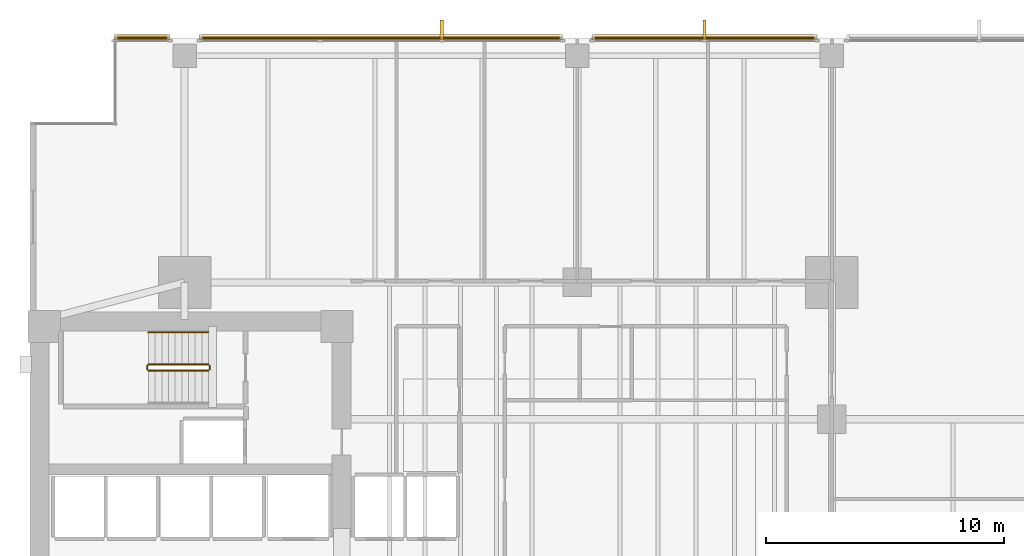
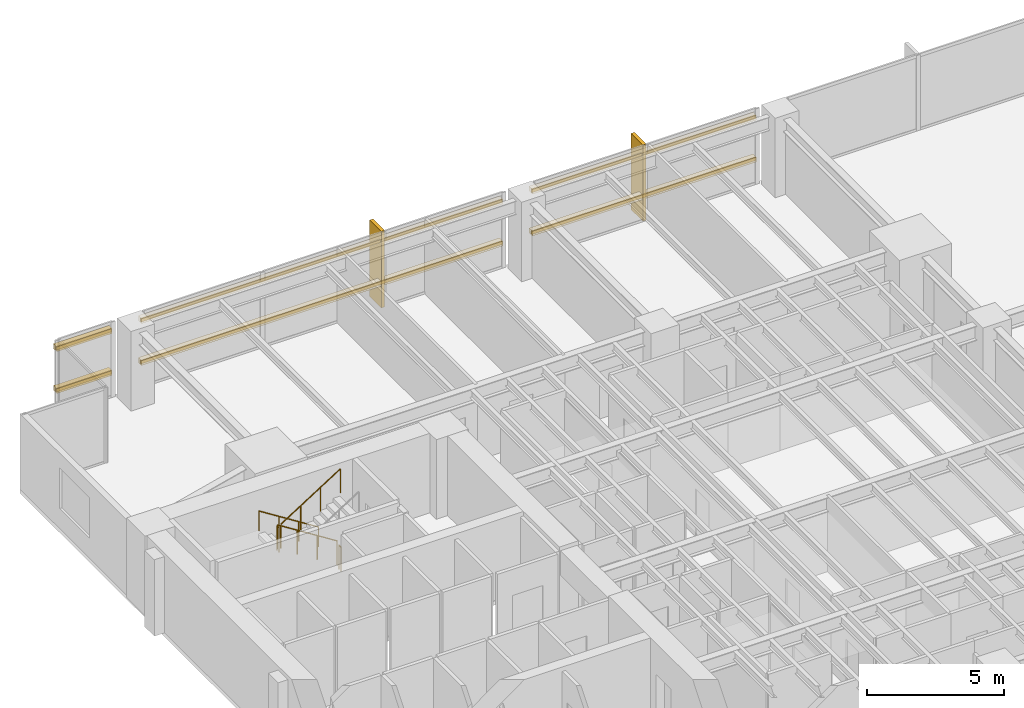
# One storey, part 14 of 15: 8 coverings, 6 shading devices, 5 railings.
"""IFC4 building model written with IfcOpenShell, lengths in metres."""

from ifc_helpers import new_model, si_unit, direction, frame, origin, origin_2d, place, context, subcontext, project, spatial, polyline, rectangle, circle, outline, extrude, material, layer, layer_set, material_profile, profile_set, type_object, element, save


model = new_model("IFC4")

# Units and contexts
model_context = context("Model", 3, precision=1e-05, world=origin(), true_north=direction((0.0, 1.0)))
body_context = subcontext(model_context, "Body", "Model", "MODEL_VIEW")
ifc_project = project(units=[si_unit("LENGTHUNIT", "METRE"), si_unit("AREAUNIT", "SQUARE_METRE"), si_unit("VOLUMEUNIT", "CUBIC_METRE"), si_unit("PLANEANGLEUNIT", "RADIAN"), si_unit("MASSUNIT", "GRAM", prefix="KILO")], contexts=[model_context])

# Site, building, storey
site_placement = place(None, origin())
site = spatial("IfcSite", under=ifc_project, at=site_placement, CompositionType="ELEMENT")
building_placement = place(site_placement, origin())
building = spatial("IfcBuilding", under=site, at=building_placement, Name="Kinhvarn Gate Tower", CompositionType="ELEMENT")
storey_placement = place(building_placement, frame((0.0, 0.0, 61.10009765625)))
storey = spatial("IfcBuildingStorey", under=building, at=storey_placement, Name="L15", CompositionType="ELEMENT", Elevation=61.10009765625)

# Coverings
ifc_material_1 = material(Name="Fired architectural terracotta", Category="masonry")
ifc_layer_1 = layer(ifc_material_1, 0.239990234375)
ifc_layer_set_1 = layer_set([ifc_layer_1], Name="Fired architectural terracotta")
covering_type_1 = type_object("IfcCoveringType", Name="COV-BAG-220", PredefinedType="CLADDING", material=ifc_layer_set_1)
for number, where, name in (
    (1, (0.0, 0.0, 0.93994140625), "Terracotta Horizontal Sunscreen Band TBG-220 (L15)"),
    (2, (0.0, 0.0, 2.809814453125), "Terracotta Horizontal Sunscreen Band TBG-220 (L15)"),
):
    element("IfcCovering", number, at=place(storey_placement, frame(where)), inside=storey, type_object=covering_type_1, Name=name, PredefinedType="CLADDING", context=body_context, shape_type="SweptSolid", body=[
        extrude(outline(polyline([(37.580078125, 47.93994140625), (28.1201171875, 47.93994140625), (28.1201171875, 48.179931640625), (37.580078125, 48.179931640625), (37.580078125, 47.93994140625)])), origin(), (0.0, 0.0, 1.0), 0.219970703125),
    ])
for number, where, name in (
    (3, (0.0, 0.0, 0.93994140625), "Terracotta Horizontal Sunscreen Band TBG-220 (L15)"),
    (4, (0.0, 0.0, 2.809814453125), "Terracotta Horizontal Sunscreen Band TBG-220 (L15)"),
):
    element("IfcCovering", number, at=place(storey_placement, frame(where)), inside=storey, type_object=covering_type_1, Name=name, PredefinedType="CLADDING", context=body_context, shape_type="SweptSolid", body=[
        extrude(outline(polyline([(26.8798828125, 47.93994140625), (11.6201171875, 47.93994140625), (11.6201171875, 48.179931640625), (26.8798828125, 48.179931640625), (26.8798828125, 47.93994140625)])), origin(), (0.0, 0.0, 1.0), 0.219970703125),
    ])
for number, where, name in (
    (5, (0.0, 0.0, 0.93994140625), "Terracotta Horizontal Sunscreen Band TBG-220 (L15)"),
    (6, (0.0, 0.0, 2.809814453125), "Terracotta Horizontal Sunscreen Band TBG-220 (L15)"),
):
    element("IfcCovering", number, at=place(storey_placement, frame(where)), inside=storey, type_object=covering_type_1, Name=name, PredefinedType="CLADDING", context=body_context, shape_type="SweptSolid", body=[
        extrude(outline(polyline([(10.3798828125, 47.93994140625), (8.0400390625, 47.93994140625), (8.0400390625, 48.179931640625), (10.3798828125, 48.179931640625), (10.3798828125, 47.93994140625)])), origin(), (0.0, 0.0, 1.0), 0.219970703125),
    ])
ifc_layer_2 = layer(ifc_material_1, 0.139892578125)
ifc_layer_set_2 = layer_set([ifc_layer_2], Name="Fired architectural terracotta")
covering_type_2 = type_object("IfcCoveringType", Name="COV-FIN-850", PredefinedType="CLADDING", material=ifc_layer_set_2)
covering_1_placement = place(storey_placement, frame((0.0, 0.0, -0.02001953125)))
element("IfcCovering", 7, at=covering_1_placement, inside=storey, type_object=covering_type_2, Name="Vertical Terracotta Expressive Fin TFN-850 (L15)", PredefinedType="CLADDING", context=body_context, shape_type="SweptSolid", body=[
    extrude(outline(polyline([(32.919921875, 47.929931640625), (32.780029296875, 47.929931640625), (32.780029296875, 48.780029296875), (32.919921875, 48.780029296875), (32.919921875, 47.929931640625)])), origin(), (0.0, 0.0, 1.0), 3.409912109375),
])
covering_2_placement = place(storey_placement, frame((0.0, 0.0, -0.02001953125)))
element("IfcCovering", 8, at=covering_2_placement, inside=storey, type_object=covering_type_2, Name="Vertical Terracotta Expressive Fin TFN-850 (L15)", PredefinedType="CLADDING", context=body_context, shape_type="SweptSolid", body=[
    extrude(outline(polyline([(21.876708984375, 47.929931640625), (21.73681640625, 47.929931640625), (21.73681640625, 48.780029296875), (21.876708984375, 48.780029296875), (21.876708984375, 47.929931640625)])), origin(), (0.0, 0.0, 1.0), 3.409912109375),
])

# Railings
ifc_material_2 = material(Name="Steel S355", Category="steel")
railing_type_1 = type_object("IfcRailingType", Name="RL-ST-GRD", PredefinedType="BALUSTRADE", material=ifc_material_2)
railing_1_placement = place(storey_placement, frame((12.0, 34.300048828125, 0.177490234375)))
element("IfcRailing", 9, at=railing_1_placement, inside=storey, type_object=railing_type_1, Name="L15 ST2 stair guard 1", PredefinedType="BALUSTRADE", context=body_context, shape_type="SweptSolid", body=[
    extrude(circle(Radius=0.02392578125, at=origin_2d()), frame((0.0, 0.0, 1.076171875), z_axis=(-0.84460694969, 0.0, 0.535386869969), x_axis=(0.0, -1.0, 0.0)), (0.0, 0.0, 1.0), 2.983642578125),
    extrude(circle(Radius=0.02099609375, at=origin_2d()), origin(), (0.0, 0.0, 1.0), 1.052001953125),
    extrude(circle(Radius=0.02099609375, at=origin_2d()), frame((-0.840087890625, 0.0, 0.532470703125)), (0.0, 0.0, 1.0), 1.052001953125),
    extrude(circle(Radius=0.02099609375, at=origin_2d()), frame((-1.679931640625, 0.0, 1.06494140625)), (0.0, 0.0, 1.0), 1.052001953125),
    extrude(circle(Radius=0.02099609375, at=origin_2d()), frame((-2.52001953125, 0.0, 1.597412109375)), (0.0, 0.0, 1.0), 1.052001953125),
])
railing_2_placement = place(storey_placement, frame((9.429931640625, 34.25, 1.77490234375)))
element("IfcRailing", 10, at=railing_2_placement, inside=storey, type_object=railing_type_1, Name="L15 ST2 stair guard 2", PredefinedType="BALUSTRADE", context=body_context, shape_type="SweptSolid", body=[
    extrude(circle(Radius=0.02392578125, at=origin_2d()), frame((0.0, 0.0, 1.076171875), z_axis=(0.0, -1.0, 0.0), x_axis=(1.0, 0.0, 0.0)), (0.0, 0.0, 1.0), 0.14990234375),
    extrude(circle(Radius=0.02099609375, at=origin_2d()), origin(), (0.0, 0.0, 1.0), 1.052001953125),
    extrude(circle(Radius=0.02099609375, at=origin_2d()), frame((0.0, -0.14990234375, 0.0)), (0.0, 0.0, 1.0), 1.052001953125),
])
railing_3_placement = place(storey_placement, frame((9.47998046875, 34.050048828125, 1.952392578125)))
element("IfcRailing", 11, at=railing_3_placement, inside=storey, type_object=railing_type_1, Name="L15 ST2 stair guard 3", PredefinedType="BALUSTRADE", context=body_context, shape_type="SweptSolid", body=[
    extrude(circle(Radius=0.02392578125, at=origin_2d()), frame((0.0, 0.0, 1.076171875), z_axis=(0.84460694969, 0.0, 0.535386869969), x_axis=(0.0, 1.0, 0.0)), (0.0, 0.0, 1.0), 2.983642578125),
    extrude(circle(Radius=0.02099609375, at=origin_2d()), origin(), (0.0, 0.0, 1.0), 1.052001953125),
    extrude(circle(Radius=0.02099609375, at=origin_2d()), frame((0.840087890625, 0.0, 0.532470703125)), (0.0, 0.0, 1.0), 1.052001953125),
    extrude(circle(Radius=0.02099609375, at=origin_2d()), frame((1.679931640625, 0.0, 1.06494140625)), (0.0, 0.0, 1.0), 1.052001953125),
    extrude(circle(Radius=0.02099609375, at=origin_2d()), frame((2.52001953125, 0.0, 1.597412109375)), (0.0, 0.0, 1.0), 1.052001953125),
])
railing_4_placement = place(storey_placement, frame((12.050048828125, 34.25, 0.0)))
element("IfcRailing", 12, at=railing_4_placement, inside=storey, type_object=railing_type_1, Name="L15 ST2 stair guard 4", PredefinedType="BALUSTRADE", context=body_context, shape_type="SweptSolid", body=[
    extrude(circle(Radius=0.02392578125, at=origin_2d()), frame((0.0, 0.0, 1.076171875), z_axis=(0.0, -1.0, 0.0), x_axis=(1.0, 0.0, 0.0)), (0.0, 0.0, 1.0), 0.14990234375),
    extrude(circle(Radius=0.02099609375, at=origin_2d()), origin(), (0.0, 0.0, 1.0), 1.052001953125),
    extrude(circle(Radius=0.02099609375, at=origin_2d()), frame((0.0, -0.14990234375, 0.0)), (0.0, 0.0, 1.0), 1.052001953125),
])
railing_type_2 = type_object("IfcRailingType", Name="RL-ST-HND", PredefinedType="HANDRAIL", material=ifc_material_2)
railing_5_placement = place(storey_placement, frame((12.0, 35.64990234375, 0.177490234375)))
element("IfcRailing", 13, at=railing_5_placement, inside=storey, type_object=railing_type_2, Name="L15 ST2 stair handrail 1", PredefinedType="HANDRAIL", context=body_context, shape_type="SweptSolid", body=[
    extrude(circle(Radius=0.02392578125, at=origin_2d()), frame((0.0, 0.0, 0.8759765625), z_axis=(-0.84460694969, 0.0, 0.535386869969), x_axis=(0.0, -1.0, 0.0)), (0.0, 0.0, 1.0), 2.983642578125),
    extrude(circle(Radius=0.02099609375, at=origin_2d()), origin(), (0.0, 0.0, 1.0), 0.851806640625),
    extrude(circle(Radius=0.02099609375, at=origin_2d()), frame((-0.840087890625, 0.0, 0.532470703125)), (0.0, 0.0, 1.0), 0.851806640625),
    extrude(circle(Radius=0.02099609375, at=origin_2d()), frame((-1.679931640625, 0.0, 1.06494140625)), (0.0, 0.0, 1.0), 0.851806640625),
    extrude(circle(Radius=0.02099609375, at=origin_2d()), frame((-2.52001953125, 0.0, 1.597412109375)), (0.0, 0.0, 1.0), 0.851806640625),
])

# Shading devices
ifc_material_profile = material_profile(ifc_material_1, rectangle(XDim=0.06005859375, YDim=0.139892578125, at=origin_2d()), Name="TC 60x140")
ifc_profile_set = profile_set([ifc_material_profile], Name="Fired architectural terracotta")
shading_device_type = type_object("IfcShadingDeviceType", Name="SHD-BAG-180", PredefinedType="USERDEFINED", material=ifc_profile_set)
for number, where, z_axis, x_axis, name in (
    (14, (37.580078125, 48.014892578125, 1.0498046875), (-1.0, 0.0, 0.0), (0.0, -1.0, 0.0), "Fired Terracotta Baguette Screen Rod 60x140 mm (L15)"),
    (15, (37.580078125, 48.014892578125, 2.919921875), (-1.0, 0.0, 0.0), (0.0, -1.0, 0.0), "Fired Terracotta Baguette Screen Rod 60x140 mm (L15)"),
):
    element("IfcShadingDevice", number, at=place(storey_placement, frame(where, z_axis=z_axis, x_axis=x_axis)), inside=storey, type_object=shading_device_type, Name=name, ObjectType="BAGUETTE", PredefinedType="USERDEFINED", context=body_context, shape_type="SweptSolid", body=[
        extrude(rectangle(XDim=0.06005859375, YDim=0.139892578125, at=origin_2d()), origin(), (0.0, 0.0, 1.0), 9.4599609375),
    ])
for number, where, z_axis, x_axis, name in (
    (16, (26.8798828125, 48.014892578125, 1.0498046875), (-1.0, 0.0, 0.0), (0.0, -1.0, 0.0), "Fired Terracotta Baguette Screen Rod 60x140 mm (L15)"),
    (17, (26.8798828125, 48.014892578125, 2.919921875), (-1.0, 0.0, 0.0), (0.0, -1.0, 0.0), "Fired Terracotta Baguette Screen Rod 60x140 mm (L15)"),
):
    element("IfcShadingDevice", number, at=place(storey_placement, frame(where, z_axis=z_axis, x_axis=x_axis)), inside=storey, type_object=shading_device_type, Name=name, ObjectType="BAGUETTE", PredefinedType="USERDEFINED", context=body_context, shape_type="SweptSolid", body=[
        extrude(rectangle(XDim=0.06005859375, YDim=0.139892578125, at=origin_2d()), origin(), (0.0, 0.0, 1.0), 15.259765625),
    ])
for number, where, z_axis, x_axis, name in (
    (18, (10.3798828125, 48.014892578125, 1.0498046875), (-1.0, 0.0, 0.0), (0.0, -1.0, 0.0), "Fired Terracotta Baguette Screen Rod 60x140 mm (L15)"),
    (19, (10.3798828125, 48.014892578125, 2.919921875), (-1.0, 0.0, 0.0), (0.0, -1.0, 0.0), "Fired Terracotta Baguette Screen Rod 60x140 mm (L15)"),
):
    element("IfcShadingDevice", number, at=place(storey_placement, frame(where, z_axis=z_axis, x_axis=x_axis)), inside=storey, type_object=shading_device_type, Name=name, ObjectType="BAGUETTE", PredefinedType="USERDEFINED", context=body_context, shape_type="SweptSolid", body=[
        extrude(rectangle(XDim=0.06005859375, YDim=0.139892578125, at=origin_2d()), origin(), (0.0, 0.0, 1.0), 2.33984375),
    ])

save(model, "model.ifc")
